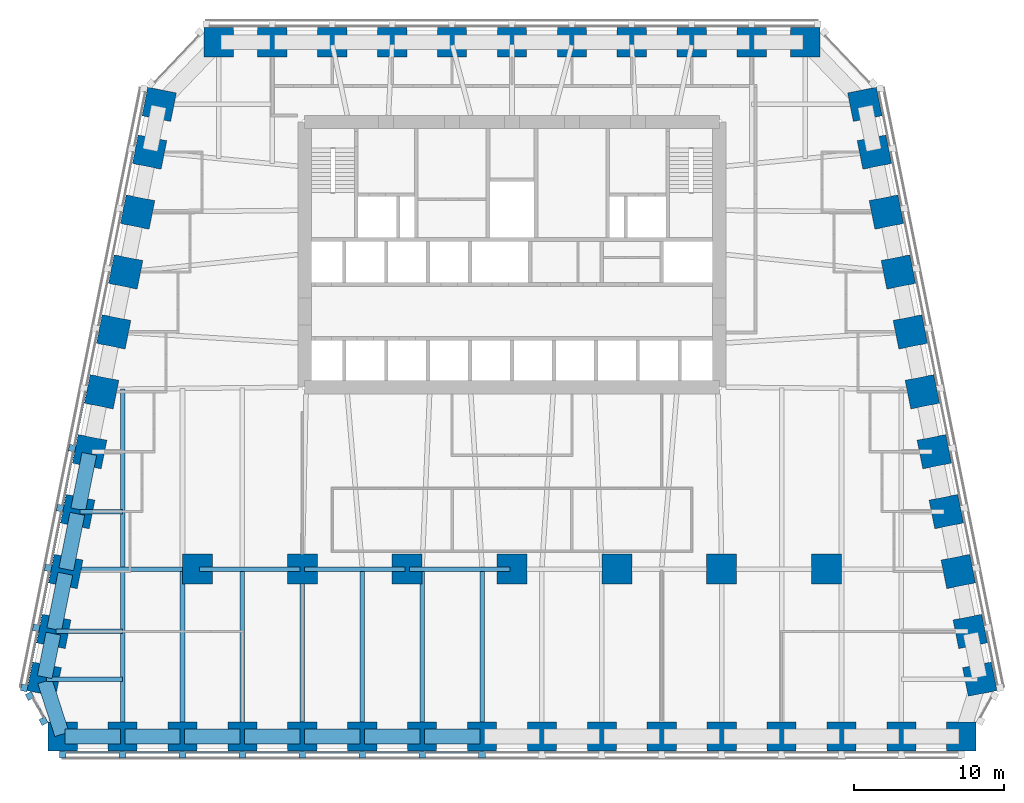
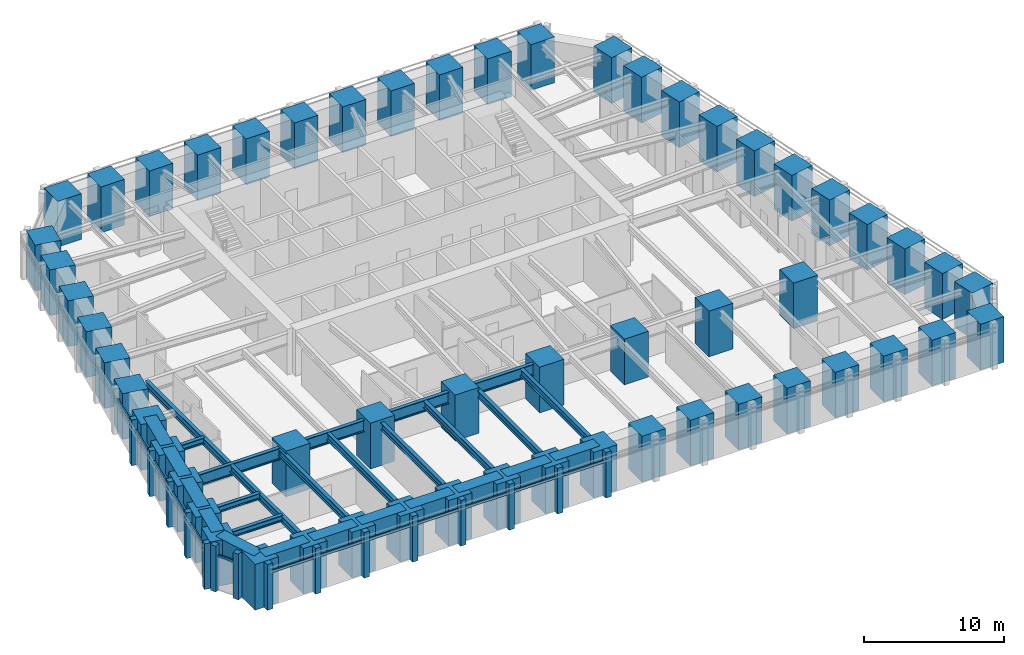
# One storey, part 1 of 10: 56 columns, 28 members, 27 beams, 3 elements without a shape of their own.
"""IFC4 building model written with IfcOpenShell, lengths in metres."""

from ifc_helpers import new_model, si_unit, direction, frame, origin, origin_2d, place, context, subcontext, project, spatial, rectangle, i_section, extrude, material, material_profile, profile_set, type_object, element, aggregate, save


model = new_model("IFC4")

# Units and contexts
model_context = context("Model", 3, precision=1e-05, world=origin(), true_north=direction((0.0, 1.0)))
body_context = subcontext(model_context, "Body", "Model", "MODEL_VIEW")
ifc_project = project(units=[si_unit("LENGTHUNIT", "METRE"), si_unit("AREAUNIT", "SQUARE_METRE"), si_unit("VOLUMEUNIT", "CUBIC_METRE"), si_unit("PLANEANGLEUNIT", "RADIAN"), si_unit("MASSUNIT", "GRAM", prefix="KILO")], contexts=[model_context])

# Site, building, storey
site_placement = place(None, origin())
site = spatial("IfcSite", under=ifc_project, at=site_placement, CompositionType="ELEMENT")
building_placement = place(site_placement, origin())
building = spatial("IfcBuilding", under=site, at=building_placement, Name="Isbrekke Arena Tower", CompositionType="ELEMENT")
storey_placement = place(building_placement, frame((0.0, 0.0, 88.0)))
storey = spatial("IfcBuildingStorey", under=building, at=storey_placement, Name="L19", CompositionType="ELEMENT", Elevation=88.0)

# Columns
ifc_material_1 = material(Name="Concrete B90 (C90/105)", Category="concrete")
ifc_material_profile_1 = material_profile(ifc_material_1, rectangle(XDim=2.0, YDim=2.0, at=origin_2d()), Name="RC 2000x2000")
ifc_profile_set_1 = profile_set([ifc_material_profile_1], Name="Concrete B90 (C90/105)")
column_type_1 = type_object("IfcColumnType", Name="C11 RC 2000 x 2000", PredefinedType="COLUMN", material=ifc_profile_set_1)
for number, where, z_axis, x_axis, name in (
    (1, (-21.0, -6.0, 0.0), (0.0, 0.0, 1.0), (1.0, 0.0, 0.0), "C11 I01"),
    (2, (-14.0, -6.0, 0.0), (0.0, 0.0, 1.0), (1.0, 0.0, 0.0), "C11 I02"),
    (3, (-7.0, -6.0, 0.0), (0.0, 0.0, 1.0), (1.0, 0.0, 0.0), "C11 I03"),
    (4, (0.0, -6.0, 0.0), (0.0, 0.0, 1.0), (1.0, 0.0, 0.0), "C11 I04"),
    (5, (7.0, -6.0, 0.0), (0.0, 0.0, 1.0), (1.0, 0.0, 0.0), "C11 I05"),
    (6, (14.0, -6.0, 0.0), (0.0, 0.0, 1.0), (1.0, 0.0, 0.0), "C11 I06"),
    (7, (21.0, -6.0, 0.0), (0.0, 0.0, 1.0), (1.0, 0.0, 0.0), "C11 I07"),
):
    element("IfcColumn", number, at=place(storey_placement, frame(where, z_axis=z_axis, x_axis=x_axis)), inside=storey, type_object=column_type_1, Name=name, PredefinedType="COLUMN", context=body_context, shape_type="SweptSolid", body=[
        extrude(rectangle(XDim=2.0, YDim=2.0, at=origin_2d()), origin(), (0.0, 0.0, 1.0), 4.0),
    ])
ifc_material_2 = material(Name="Concrete B90 (C90/105)", Category="concrete")
ifc_material_profile_2 = material_profile(ifc_material_2, rectangle(XDim=1.949951171875, YDim=1.949951171875, at=origin_2d()), Name="RC 1950x1950")
ifc_profile_set_2 = profile_set([ifc_material_profile_2], Name="Concrete B90 (C90/105)")
column_type_2 = type_object("IfcColumnType", Name="C2 RC 1950 x 1950", PredefinedType="COLUMN", material=ifc_profile_set_2)
for number, where, z_axis, x_axis, name in (
    (8, (-30.0, -17.175048828125, 0.0), (0.0, 0.0, 1.0), (1.0, 0.0, 0.0), "C2 S01"),
    (9, (-26.0, -17.175048828125, 0.0), (0.0, 0.0, 1.0), (1.0, 0.0, 0.0), "C2 S02"),
    (10, (-22.0, -17.175048828125, 0.0), (0.0, 0.0, 1.0), (1.0, 0.0, 0.0), "C2 S03"),
    (11, (-18.0, -17.175048828125, 0.0), (0.0, 0.0, 1.0), (1.0, 0.0, 0.0), "C2 S04"),
    (12, (-14.0, -17.175048828125, 0.0), (0.0, 0.0, 1.0), (1.0, 0.0, 0.0), "C2 S05"),
    (13, (-10.0, -17.175048828125, 0.0), (0.0, 0.0, 1.0), (1.0, 0.0, 0.0), "C2 S06"),
    (14, (-6.0, -17.175048828125, 0.0), (0.0, 0.0, 1.0), (1.0, 0.0, 0.0), "C2 S07"),
    (15, (-2.0, -17.175048828125, 0.0), (0.0, 0.0, 1.0), (1.0, 0.0, 0.0), "C2 S08"),
    (16, (2.0, -17.175048828125, 0.0), (0.0, 0.0, 1.0), (1.0, 0.0, 0.0), "C2 S09"),
    (17, (6.0, -17.175048828125, 0.0), (0.0, 0.0, 1.0), (1.0, 0.0, 0.0), "C2 S10"),
    (18, (10.0, -17.175048828125, 0.0), (0.0, 0.0, 1.0), (1.0, 0.0, 0.0), "C2 S11"),
    (19, (14.0, -17.175048828125, 0.0), (0.0, 0.0, 1.0), (1.0, 0.0, 0.0), "C2 S12"),
    (20, (18.0, -17.175048828125, 0.0), (0.0, 0.0, 1.0), (1.0, 0.0, 0.0), "C2 S13"),
    (21, (22.0, -17.175048828125, 0.0), (0.0, 0.0, 1.0), (1.0, 0.0, 0.0), "C2 S14"),
    (22, (26.0, -17.175048828125, 0.0), (0.0, 0.0, 1.0), (1.0, 0.0, 0.0), "C2 S15"),
    (23, (30.0, -17.175048828125, 0.0), (0.0, 0.0, 1.0), (1.0, 0.0, 0.0), "C2 S16"),
    (24, (31.229248046875, -13.352783203125, 0.0), (0.0, 0.0, 1.0), (-0.196116135138, 0.980580675691, 0.0), "C2 E01"),
    (25, (30.591064453125, -10.161865234375, 0.0), (0.0, 0.0, 1.0), (-0.196116135138, 0.980580675691, 0.0), "C2 E02"),
    (26, (29.791015625, -6.161865234375, 0.0), (0.0, 0.0, 1.0), (-0.196116135138, 0.980580675691, 0.0), "C2 E03"),
    (27, (28.990966796875, -2.161865234375, 0.0), (0.0, 0.0, 1.0), (-0.196116135138, 0.980580675691, 0.0), "C2 E04"),
    (28, (28.19091796875, 1.838134765625, 0.0), (0.0, 0.0, 1.0), (-0.196116135138, 0.980580675691, 0.0), "C2 E05"),
    (29, (27.39111328125, 5.838134765625, 0.0), (0.0, 0.0, 1.0), (-0.196116135138, 0.980580675691, 0.0), "C2 E06"),
    (30, (26.591064453125, 9.838134765625, 0.0), (0.0, 0.0, 1.0), (-0.196116135138, 0.980580675691, 0.0), "C2 E07"),
    (31, (25.791015625, 13.838134765625, 0.0), (0.0, 0.0, 1.0), (-0.196116135138, 0.980580675691, 0.0), "C2 E08"),
    (32, (24.990966796875, 17.838134765625, 0.0), (0.0, 0.0, 1.0), (-0.196116135138, 0.980580675691, 0.0), "C2 E09"),
    (33, (24.19091796875, 21.838134765625, 0.0), (0.0, 0.0, 1.0), (-0.196116135138, 0.980580675691, 0.0), "C2 E10"),
    (34, (23.552734375, 25.029296875, 0.0), (0.0, 0.0, 1.0), (-0.196116135138, 0.980580675691, 0.0), "C2 E11"),
    (35, (19.574951171875, 29.175048828125, 0.0), (0.0, 0.0, 1.0), (-1.0, 0.0, 0.0), "C2 N01"),
    (36, (16.0, 29.175048828125, 0.0), (0.0, 0.0, 1.0), (-1.0, 0.0, 0.0), "C2 N02"),
    (37, (12.0, 29.175048828125, 0.0), (0.0, 0.0, 1.0), (-1.0, 0.0, 0.0), "C2 N03"),
    (38, (8.0, 29.175048828125, 0.0), (0.0, 0.0, 1.0), (-1.0, 0.0, 0.0), "C2 N04"),
    (39, (4.0, 29.175048828125, 0.0), (0.0, 0.0, 1.0), (-1.0, 0.0, 0.0), "C2 N05"),
    (40, (0.0, 29.175048828125, 0.0), (0.0, 0.0, 1.0), (-1.0, 0.0, 0.0), "C2 N06"),
    (41, (-4.0, 29.175048828125, 0.0), (0.0, 0.0, 1.0), (-1.0, 0.0, 0.0), "C2 N07"),
    (42, (-8.0, 29.175048828125, 0.0), (0.0, 0.0, 1.0), (-1.0, 0.0, 0.0), "C2 N08"),
    (43, (-12.0, 29.175048828125, 0.0), (0.0, 0.0, 1.0), (-1.0, 0.0, 0.0), "C2 N09"),
    (44, (-16.0, 29.175048828125, 0.0), (0.0, 0.0, 1.0), (-1.0, 0.0, 0.0), "C2 N10"),
    (45, (-19.574951171875, 29.175048828125, 0.0), (0.0, 0.0, 1.0), (-1.0, 0.0, 0.0), "C2 N11"),
    (46, (-23.552734375, 25.029296875, 0.0), (0.0, 0.0, 1.0), (-0.196116135138, -0.980580675691, 0.0), "C2 W01"),
    (47, (-24.19091796875, 21.838134765625, 0.0), (0.0, 0.0, 1.0), (-0.196116135138, -0.980580675691, 0.0), "C2 W02"),
    (48, (-24.990966796875, 17.838134765625, 0.0), (0.0, 0.0, 1.0), (-0.196116135138, -0.980580675691, 0.0), "C2 W03"),
    (49, (-25.791015625, 13.838134765625, 0.0), (0.0, 0.0, 1.0), (-0.196116135138, -0.980580675691, 0.0), "C2 W04"),
    (50, (-26.591064453125, 9.838134765625, 0.0), (0.0, 0.0, 1.0), (-0.196116135138, -0.980580675691, 0.0), "C2 W05"),
    (51, (-27.39111328125, 5.838134765625, 0.0), (0.0, 0.0, 1.0), (-0.196116135138, -0.980580675691, 0.0), "C2 W06"),
    (52, (-28.19091796875, 1.838134765625, 0.0), (0.0, 0.0, 1.0), (-0.196116135138, -0.980580675691, 0.0), "C2 W07"),
    (53, (-28.990966796875, -2.161865234375, 0.0), (0.0, 0.0, 1.0), (-0.196116135138, -0.980580675691, 0.0), "C2 W08"),
    (54, (-29.791015625, -6.161865234375, 0.0), (0.0, 0.0, 1.0), (-0.196116135138, -0.980580675691, 0.0), "C2 W09"),
    (55, (-30.591064453125, -10.161865234375, 0.0), (0.0, 0.0, 1.0), (-0.196116135138, -0.980580675691, 0.0), "C2 W10"),
    (56, (-31.229248046875, -13.352783203125, 0.0), (0.0, 0.0, 1.0), (-0.196116135138, -0.980580675691, 0.0), "C2 W11"),
):
    element("IfcColumn", number, at=place(storey_placement, frame(where, z_axis=z_axis, x_axis=x_axis)), inside=storey, type_object=column_type_2, Name=name, PredefinedType="COLUMN", context=body_context, shape_type="SweptSolid", body=[
        extrude(rectangle(XDim=1.949951171875, YDim=1.949951171875, at=origin_2d()), origin(), (0.0, 0.0, 1.0), 4.0),
    ])

# Beams
ifc_material_3 = material(Name="Steel S355", Category="steel")
ifc_material_profile_3 = material_profile(ifc_material_3, i_section(OverallWidth=0.304931640625, OverallDepth=0.6201171875, WebThickness=0.02099609375, FlangeThickness=0.0400390625, FilletRadius=0.027099609375, at=origin_2d()), Name="HEM 600")
ifc_profile_set_3 = profile_set([ifc_material_profile_3], Name="Steel S355")
beam_type_1 = type_object("IfcBeamType", Name="B4 HEM 600", PredefinedType="BEAM", material=ifc_profile_set_3)
for number, where, z_axis, x_axis, name in (
    (57, (-26.0, -17.02490234375, 3.43994140625), (0.0, 1.0, 0.0), (-1.0, 0.0, 0.0), "B4 beam S-S02 L19"),
    (58, (-22.0, -17.02490234375, 3.43994140625), (0.0, 1.0, 0.0), (-1.0, 0.0, 0.0), "B4 beam S-S03 L19"),
    (59, (-18.0, -17.02490234375, 3.43994140625), (0.0, 1.0, 0.0), (-1.0, 0.0, 0.0), "B4 beam S-S04 L19"),
):
    element("IfcBeam", number, at=place(storey_placement, frame(where, z_axis=z_axis, x_axis=x_axis)), inside=storey, type_object=beam_type_1, Name=name, PredefinedType="BEAM", context=body_context, shape_type="SweptSolid", body=[
        extrude(i_section(OverallWidth=0.304931640625, OverallDepth=0.6201171875, WebThickness=0.02099609375, FlangeThickness=0.0400390625, FilletRadius=0.027099609375, at=origin_2d()), origin(), (0.0, 0.0, 1.0), 10.8740234375),
    ])
beam_1_placement = place(storey_placement, frame((-14.0, -17.02490234375, 3.43994140625), z_axis=(0.0, 1.0, 0.0), x_axis=(-1.0, 0.0, 0.0)))
element("IfcBeam", 60, at=beam_1_placement, inside=storey, type_object=beam_type_1, Name="B4 beam S-S05 L19", PredefinedType="BEAM", context=body_context, shape_type="SweptSolid", body=[
    extrude(i_section(OverallWidth=0.304931640625, OverallDepth=0.6201171875, WebThickness=0.02099609375, FlangeThickness=0.0400390625, FilletRadius=0.027099609375, at=origin_2d()), origin(), (0.0, 0.0, 1.0), 10.875),
])
for number, where, z_axis, x_axis, name in (
    (61, (-10.0, -17.02490234375, 3.43994140625), (0.0, 1.0, 0.0), (-1.0, 0.0, 0.0), "B4 beam S-S06 L19"),
    (62, (-6.0, -17.02490234375, 3.43994140625), (0.0, 1.0, 0.0), (-1.0, 0.0, 0.0), "B4 beam S-S07 L19"),
    (63, (-2.0, -17.02490234375, 3.43994140625), (0.0, 1.0, 0.0), (-1.0, 0.0, 0.0), "B4 beam S-S08 L19"),
):
    element("IfcBeam", number, at=place(storey_placement, frame(where, z_axis=z_axis, x_axis=x_axis)), inside=storey, type_object=beam_type_1, Name=name, PredefinedType="BEAM", context=body_context, shape_type="SweptSolid", body=[
        extrude(i_section(OverallWidth=0.304931640625, OverallDepth=0.6201171875, WebThickness=0.02099609375, FlangeThickness=0.0400390625, FilletRadius=0.027099609375, at=origin_2d()), origin(), (0.0, 0.0, 1.0), 10.8740234375),
    ])
beam_2_placement = place(storey_placement, frame((-26.0, -5.84912109375, 3.43994140625), z_axis=(0.0, 1.0, 0.0), x_axis=(-1.0, 0.0, 0.0)))
element("IfcBeam", 64, at=beam_2_placement, inside=storey, type_object=beam_type_1, Name="B4 beam C-M01 L19", PredefinedType="BEAM", context=body_context, shape_type="SweptSolid", body=[
    extrude(i_section(OverallWidth=0.304931640625, OverallDepth=0.6201171875, WebThickness=0.02099609375, FlangeThickness=0.0400390625, FilletRadius=0.027099609375, at=origin_2d()), origin(), (0.0, 0.0, 1.0), 11.864990234375),
])
ifc_material_4 = material(Name="Steel S355", Category="steel")
ifc_material_profile_4 = material_profile(ifc_material_4, i_section(OverallWidth=0.305908203125, OverallDepth=0.52392578125, WebThickness=0.02099609375, FlangeThickness=0.0400390625, FilletRadius=0.027099609375, at=origin_2d()), Name="HEM 500")
ifc_profile_set_4 = profile_set([ifc_material_profile_4], Name="Steel S355")
beam_type_2 = type_object("IfcBeamType", Name="B5 HEM 500", PredefinedType="BEAM", material=ifc_profile_set_4)
beam_3_placement = place(storey_placement, frame((-28.841064453125, -2.161865234375, 3.488037109375), z_axis=(1.0, 0.0, 0.0), x_axis=(0.0, 1.0, 0.0)))
element("IfcBeam", 65, at=beam_3_placement, inside=storey, type_object=beam_type_2, Name="B5 beam E-W08 L19", PredefinedType="BEAM", context=body_context, shape_type="SweptSolid", body=[
    extrude(i_section(OverallWidth=0.305908203125, OverallDepth=0.52392578125, WebThickness=0.02099609375, FlangeThickness=0.0400390625, FilletRadius=0.027099609375, at=origin_2d()), origin(), (0.0, 0.0, 1.0), 2.841064453125),
])
beam_4_placement = place(storey_placement, frame((-30.44091796875, -10.161865234375, 3.488037109375), z_axis=(1.0, 0.0, 0.0), x_axis=(0.0, 1.0, 0.0)))
element("IfcBeam", 66, at=beam_4_placement, inside=storey, type_object=beam_type_2, Name="B5 beam E-W10 L19", PredefinedType="BEAM", context=body_context, shape_type="SweptSolid", body=[
    extrude(i_section(OverallWidth=0.305908203125, OverallDepth=0.52392578125, WebThickness=0.02099609375, FlangeThickness=0.0400390625, FilletRadius=0.027099609375, at=origin_2d()), origin(), (0.0, 0.0, 1.0), 4.44091796875),
])
beam_5_placement = place(storey_placement, frame((-31.079345703125, -13.352783203125, 3.488037109375), z_axis=(1.0, 0.0, 0.0), x_axis=(0.0, 1.0, 0.0)))
element("IfcBeam", 67, at=beam_5_placement, inside=storey, type_object=beam_type_2, Name="B5 beam E-W11 L19", PredefinedType="BEAM", context=body_context, shape_type="SweptSolid", body=[
    extrude(i_section(OverallWidth=0.305908203125, OverallDepth=0.52392578125, WebThickness=0.02099609375, FlangeThickness=0.0400390625, FilletRadius=0.027099609375, at=origin_2d()), origin(), (0.0, 0.0, 1.0), 5.079345703125),
])

# Curtain wall, members
ifc_material_5 = material(Name="Glazed aluminium curtain wall", Category="aluminium")
curtain_wall_type = type_object("IfcCurtainWallType", Name="CWL TOWER CURTAIN WALL LOW ZONE", PredefinedType="USERDEFINED", material=ifc_material_5)
curtain_wall_1_placement = place(storey_placement, origin())
curtain_wall_1 = element("IfcCurtainWall", 68, at=curtain_wall_1_placement, inside=storey, type_object=curtain_wall_type, Name="CWL curtain wall L19-S", ObjectType="TOWER CURTAIN WALL LOW ZONE", PredefinedType="USERDEFINED")
ifc_material_6 = material(Name="Aluminium mullion, pale brick slip cladding", Category="masonry")
ifc_material_profile_5 = material_profile(ifc_material_6, rectangle(XDim=0.449951171875, YDim=0.449951171875, at=origin_2d()), Name="PIER 450X450")
ifc_profile_set_5 = profile_set([ifc_material_profile_5], Name="Aluminium mullion, pale brick slip cladding")
member_type_1 = type_object("IfcMemberType", Name="CWL-M PIER MULLION 450 x 450", PredefinedType="MULLION", material=ifc_profile_set_5)
member_1_placement = place(storey_placement, frame((-30.0, -18.375, 0.0), z_axis=(0.0, 0.0, 1.0), x_axis=(1.0, 0.0, 0.0)))
member_1 = element("IfcMember", 69, at=member_1_placement, type_object=member_type_1, Name="CWL-M mullion 1", PredefinedType="MULLION", context=body_context, shape_type="SweptSolid", body=[
    extrude(rectangle(XDim=0.449951171875, YDim=0.449951171875, at=origin_2d()), origin(), (0.0, 0.0, 1.0), 4.0),
])
member_2_placement = place(storey_placement, frame((-26.0, -18.375, 0.0), z_axis=(0.0, 0.0, 1.0), x_axis=(1.0, 0.0, 0.0)))
member_2 = element("IfcMember", 70, at=member_2_placement, type_object=member_type_1, Name="CWL-M mullion 2", PredefinedType="MULLION", context=body_context, shape_type="SweptSolid", body=[
    extrude(rectangle(XDim=0.449951171875, YDim=0.449951171875, at=origin_2d()), origin(), (0.0, 0.0, 1.0), 4.0),
])
member_3_placement = place(storey_placement, frame((-22.0, -18.375, 0.0), z_axis=(0.0, 0.0, 1.0), x_axis=(1.0, 0.0, 0.0)))
member_3 = element("IfcMember", 71, at=member_3_placement, type_object=member_type_1, Name="CWL-M mullion 3", PredefinedType="MULLION", context=body_context, shape_type="SweptSolid", body=[
    extrude(rectangle(XDim=0.449951171875, YDim=0.449951171875, at=origin_2d()), origin(), (0.0, 0.0, 1.0), 4.0),
])
member_4_placement = place(storey_placement, frame((-18.0, -18.375, 0.0), z_axis=(0.0, 0.0, 1.0), x_axis=(1.0, 0.0, 0.0)))
member_4 = element("IfcMember", 72, at=member_4_placement, type_object=member_type_1, Name="CWL-M mullion 4", PredefinedType="MULLION", context=body_context, shape_type="SweptSolid", body=[
    extrude(rectangle(XDim=0.449951171875, YDim=0.449951171875, at=origin_2d()), origin(), (0.0, 0.0, 1.0), 4.0),
])
member_5_placement = place(storey_placement, frame((-14.0, -18.375, 0.0), z_axis=(0.0, 0.0, 1.0), x_axis=(1.0, 0.0, 0.0)))
member_5 = element("IfcMember", 73, at=member_5_placement, type_object=member_type_1, Name="CWL-M mullion 5", PredefinedType="MULLION", context=body_context, shape_type="SweptSolid", body=[
    extrude(rectangle(XDim=0.449951171875, YDim=0.449951171875, at=origin_2d()), origin(), (0.0, 0.0, 1.0), 4.0),
])
member_6_placement = place(storey_placement, frame((-10.0, -18.375, 0.0), z_axis=(0.0, 0.0, 1.0), x_axis=(1.0, 0.0, 0.0)))
member_6 = element("IfcMember", 74, at=member_6_placement, type_object=member_type_1, Name="CWL-M mullion 6", PredefinedType="MULLION", context=body_context, shape_type="SweptSolid", body=[
    extrude(rectangle(XDim=0.449951171875, YDim=0.449951171875, at=origin_2d()), origin(), (0.0, 0.0, 1.0), 4.0),
])
member_7_placement = place(storey_placement, frame((-6.0, -18.375, 0.0), z_axis=(0.0, 0.0, 1.0), x_axis=(1.0, 0.0, 0.0)))
member_7 = element("IfcMember", 75, at=member_7_placement, type_object=member_type_1, Name="CWL-M mullion 7", PredefinedType="MULLION", context=body_context, shape_type="SweptSolid", body=[
    extrude(rectangle(XDim=0.449951171875, YDim=0.449951171875, at=origin_2d()), origin(), (0.0, 0.0, 1.0), 4.0),
])
member_8_placement = place(storey_placement, frame((-2.0, -18.375, 0.0), z_axis=(0.0, 0.0, 1.0), x_axis=(1.0, 0.0, 0.0)))
member_8 = element("IfcMember", 76, at=member_8_placement, type_object=member_type_1, Name="CWL-M mullion 8", PredefinedType="MULLION", context=body_context, shape_type="SweptSolid", body=[
    extrude(rectangle(XDim=0.449951171875, YDim=0.449951171875, at=origin_2d()), origin(), (0.0, 0.0, 1.0), 4.0),
])

curtain_wall_2_placement = place(storey_placement, origin())
curtain_wall_2 = element("IfcCurtainWall", 77, at=curtain_wall_2_placement, inside=storey, type_object=curtain_wall_type, Name="CWL curtain wall L19-W", ObjectType="TOWER CURTAIN WALL LOW ZONE", PredefinedType="USERDEFINED")
member_9_placement = place(storey_placement, frame((-29.36767578125, 2.073486328125, 0.0), z_axis=(0.0, 0.0, 1.0), x_axis=(-0.196116135138, -0.980580675691, 0.0)))
member_9 = element("IfcMember", 78, at=member_9_placement, type_object=member_type_1, Name="CWL-M mullion 7", PredefinedType="MULLION", context=body_context, shape_type="SweptSolid", body=[
    extrude(rectangle(XDim=0.449951171875, YDim=0.449951171875, at=origin_2d()), origin(), (0.0, 0.0, 1.0), 4.0),
])
member_10_placement = place(storey_placement, frame((-30.167724609375, -1.926513671875, 0.0), z_axis=(0.0, 0.0, 1.0), x_axis=(-0.196116135138, -0.980580675691, 0.0)))
member_10 = element("IfcMember", 79, at=member_10_placement, type_object=member_type_1, Name="CWL-M mullion 8", PredefinedType="MULLION", context=body_context, shape_type="SweptSolid", body=[
    extrude(rectangle(XDim=0.449951171875, YDim=0.449951171875, at=origin_2d()), origin(), (0.0, 0.0, 1.0), 4.0),
])
member_11_placement = place(storey_placement, frame((-30.9677734375, -5.926513671875, 0.0), z_axis=(0.0, 0.0, 1.0), x_axis=(-0.196116135138, -0.980580675691, 0.0)))
member_11 = element("IfcMember", 80, at=member_11_placement, type_object=member_type_1, Name="CWL-M mullion 9", PredefinedType="MULLION", context=body_context, shape_type="SweptSolid", body=[
    extrude(rectangle(XDim=0.449951171875, YDim=0.449951171875, at=origin_2d()), origin(), (0.0, 0.0, 1.0), 4.0),
])
member_12_placement = place(storey_placement, frame((-31.767822265625, -9.926513671875, 0.0), z_axis=(0.0, 0.0, 1.0), x_axis=(-0.196116135138, -0.980580675691, 0.0)))
member_12 = element("IfcMember", 81, at=member_12_placement, type_object=member_type_1, Name="CWL-M mullion 10", PredefinedType="MULLION", context=body_context, shape_type="SweptSolid", body=[
    extrude(rectangle(XDim=0.449951171875, YDim=0.449951171875, at=origin_2d()), origin(), (0.0, 0.0, 1.0), 4.0),
])
member_13_placement = place(storey_placement, frame((-32.567626953125, -13.926513671875, 0.0), z_axis=(0.0, 0.0, 1.0), x_axis=(-0.196116135138, -0.980580675691, 0.0)))
member_13 = element("IfcMember", 82, at=member_13_placement, type_object=member_type_1, Name="CWL-M mullion 11", PredefinedType="MULLION", context=body_context, shape_type="SweptSolid", body=[
    extrude(rectangle(XDim=0.449951171875, YDim=0.449951171875, at=origin_2d()), origin(), (0.0, 0.0, 1.0), 4.0),
])

curtain_wall_3_placement = place(storey_placement, origin())
curtain_wall_3 = element("IfcCurtainWall", 83, at=curtain_wall_3_placement, inside=storey, type_object=curtain_wall_type, Name="CWL curtain wall L19-WS", ObjectType="TOWER CURTAIN WALL LOW ZONE", PredefinedType="USERDEFINED")
member_14_placement = place(storey_placement, frame((-32.19580078125, -14.474609375, 0.0), z_axis=(0.0, 0.0, 1.0), x_axis=(0.481918749773, -0.876215908676, 0.0)))
member_14 = element("IfcMember", 84, at=member_14_placement, type_object=member_type_1, Name="CWL-M mullion 1", PredefinedType="MULLION", context=body_context, shape_type="SweptSolid", body=[
    extrude(rectangle(XDim=0.449951171875, YDim=0.449951171875, at=origin_2d()), origin(), (0.0, 0.0, 1.0), 4.0),
])
member_15_placement = place(storey_placement, frame((-31.277587890625, -16.14404296875, 0.0), z_axis=(0.0, 0.0, 1.0), x_axis=(0.481918749773, -0.876215908676, 0.0)))
member_15 = element("IfcMember", 85, at=member_15_placement, type_object=member_type_1, Name="CWL-M mullion 2", PredefinedType="MULLION", context=body_context, shape_type="SweptSolid", body=[
    extrude(rectangle(XDim=0.449951171875, YDim=0.449951171875, at=origin_2d()), origin(), (0.0, 0.0, 1.0), 4.0),
])

# Member
ifc_material_7 = material(Name="Aluminium transom", Category="aluminium")
ifc_material_profile_6 = material_profile(ifc_material_7, rectangle(XDim=0.1201171875, YDim=0.199951171875, at=origin_2d()), Name="TRANSOM 120X200")
ifc_profile_set_6 = profile_set([ifc_material_profile_6], Name="Aluminium transom")
member_type_2 = type_object("IfcMemberType", Name="CWL-T TRANSOM 120 x 200", PredefinedType="USERDEFINED", material=ifc_profile_set_6)
member_16_placement = place(storey_placement, frame((-29.77490234375, -18.25, 3.0), z_axis=(1.0, 0.0, 0.0), x_axis=(0.0, 1.0, 0.0)))
member_16 = element("IfcMember", 86, at=member_16_placement, type_object=member_type_2, Name="CWL-T transom 1", ObjectType="TRANSOM", PredefinedType="USERDEFINED", context=body_context, shape_type="SweptSolid", body=[
    extrude(rectangle(XDim=0.1201171875, YDim=0.199951171875, at=origin_2d()), origin(), (0.0, 0.0, 1.0), 3.5498046875),
])

member_17_placement = place(storey_placement, frame((-25.77490234375, -18.25, 3.0), z_axis=(1.0, 0.0, 0.0), x_axis=(0.0, 1.0, 0.0)))
member_17 = element("IfcMember", 87, at=member_17_placement, type_object=member_type_2, Name="CWL-T transom 2", ObjectType="TRANSOM", PredefinedType="USERDEFINED", context=body_context, shape_type="SweptSolid", body=[
    extrude(rectangle(XDim=0.1201171875, YDim=0.199951171875, at=origin_2d()), origin(), (0.0, 0.0, 1.0), 3.5498046875),
])

member_18_placement = place(storey_placement, frame((-21.77490234375, -18.25, 3.0), z_axis=(1.0, 0.0, 0.0), x_axis=(0.0, 1.0, 0.0)))
member_18 = element("IfcMember", 88, at=member_18_placement, type_object=member_type_2, Name="CWL-T transom 3", ObjectType="TRANSOM", PredefinedType="USERDEFINED", context=body_context, shape_type="SweptSolid", body=[
    extrude(rectangle(XDim=0.1201171875, YDim=0.199951171875, at=origin_2d()), origin(), (0.0, 0.0, 1.0), 3.5498046875),
])

member_19_placement = place(storey_placement, frame((-17.77490234375, -18.25, 3.0), z_axis=(1.0, 0.0, 0.0), x_axis=(0.0, 1.0, 0.0)))
member_19 = element("IfcMember", 89, at=member_19_placement, type_object=member_type_2, Name="CWL-T transom 4", ObjectType="TRANSOM", PredefinedType="USERDEFINED", context=body_context, shape_type="SweptSolid", body=[
    extrude(rectangle(XDim=0.1201171875, YDim=0.199951171875, at=origin_2d()), origin(), (0.0, 0.0, 1.0), 3.5498046875),
])

member_20_placement = place(storey_placement, frame((-13.77490234375, -18.25, 3.0), z_axis=(1.0, 0.0, 0.0), x_axis=(0.0, 1.0, 0.0)))
member_20 = element("IfcMember", 90, at=member_20_placement, type_object=member_type_2, Name="CWL-T transom 5", ObjectType="TRANSOM", PredefinedType="USERDEFINED", context=body_context, shape_type="SweptSolid", body=[
    extrude(rectangle(XDim=0.1201171875, YDim=0.199951171875, at=origin_2d()), origin(), (0.0, 0.0, 1.0), 3.5498046875),
])

member_21_placement = place(storey_placement, frame((-9.77490234375, -18.25, 3.0), z_axis=(1.0, 0.0, 0.0), x_axis=(0.0, 1.0, 0.0)))
member_21 = element("IfcMember", 91, at=member_21_placement, type_object=member_type_2, Name="CWL-T transom 6", ObjectType="TRANSOM", PredefinedType="USERDEFINED", context=body_context, shape_type="SweptSolid", body=[
    extrude(rectangle(XDim=0.1201171875, YDim=0.199951171875, at=origin_2d()), origin(), (0.0, 0.0, 1.0), 3.5498046875),
])

member_22_placement = place(storey_placement, frame((-5.77490234375, -18.25, 3.0), z_axis=(1.0, 0.0, 0.0), x_axis=(0.0, 1.0, 0.0)))
member_22 = element("IfcMember", 92, at=member_22_placement, type_object=member_type_2, Name="CWL-T transom 7", ObjectType="TRANSOM", PredefinedType="USERDEFINED", context=body_context, shape_type="SweptSolid", body=[
    extrude(rectangle(XDim=0.1201171875, YDim=0.199951171875, at=origin_2d()), origin(), (0.0, 0.0, 1.0), 3.5498046875),
])

aggregate(curtain_wall_1, [member_1, member_2, member_3, member_4, member_5, member_6, member_7, member_8, member_16, member_17, member_18, member_19, member_20, member_21, member_22])

member_23_placement = place(storey_placement, frame((-28.4892578125, 5.828369140625, 3.0), z_axis=(-0.196103197847, -0.98058326306, 0.0), x_axis=(0.98058326306, -0.196103197847, 0.0)))
member_23 = element("IfcMember", 93, at=member_23_placement, type_object=member_type_2, Name="CWL-T transom 6", ObjectType="TRANSOM", PredefinedType="USERDEFINED", context=body_context, shape_type="SweptSolid", body=[
    extrude(rectangle(XDim=0.1201171875, YDim=0.199951171875, at=origin_2d()), origin(), (0.0, 0.0, 1.0), 3.629150390625),
])

member_24_placement = place(storey_placement, frame((-29.289306640625, 1.828369140625, 3.0), z_axis=(-0.196103197847, -0.98058326306, 0.0), x_axis=(0.98058326306, -0.196103197847, 0.0)))
member_24 = element("IfcMember", 94, at=member_24_placement, type_object=member_type_2, Name="CWL-T transom 7", ObjectType="TRANSOM", PredefinedType="USERDEFINED", context=body_context, shape_type="SweptSolid", body=[
    extrude(rectangle(XDim=0.1201171875, YDim=0.199951171875, at=origin_2d()), origin(), (0.0, 0.0, 1.0), 3.629150390625),
])

member_25_placement = place(storey_placement, frame((-30.08935546875, -2.171630859375, 3.0), z_axis=(-0.196103197847, -0.98058326306, 0.0), x_axis=(0.98058326306, -0.196103197847, 0.0)))
member_25 = element("IfcMember", 95, at=member_25_placement, type_object=member_type_2, Name="CWL-T transom 8", ObjectType="TRANSOM", PredefinedType="USERDEFINED", context=body_context, shape_type="SweptSolid", body=[
    extrude(rectangle(XDim=0.1201171875, YDim=0.199951171875, at=origin_2d()), origin(), (0.0, 0.0, 1.0), 3.629150390625),
])

member_26_placement = place(storey_placement, frame((-30.88916015625, -6.171630859375, 3.0), z_axis=(-0.196167883278, -0.980570324643, 0.0), x_axis=(0.980570324643, -0.196167883278, 0.0)))
member_26 = element("IfcMember", 96, at=member_26_placement, type_object=member_type_2, Name="CWL-T transom 9", ObjectType="TRANSOM", PredefinedType="USERDEFINED", context=body_context, shape_type="SweptSolid", body=[
    extrude(rectangle(XDim=0.1201171875, YDim=0.199951171875, at=origin_2d()), origin(), (0.0, 0.0, 1.0), 3.629150390625),
])

member_27_placement = place(storey_placement, frame((-31.689208984375, -10.171630859375, 3.0), z_axis=(-0.196167883278, -0.980570324643, 0.0), x_axis=(0.980570324643, -0.196167883278, 0.0)))
member_27 = element("IfcMember", 97, at=member_27_placement, type_object=member_type_2, Name="CWL-T transom 10", ObjectType="TRANSOM", PredefinedType="USERDEFINED", context=body_context, shape_type="SweptSolid", body=[
    extrude(rectangle(XDim=0.1201171875, YDim=0.199951171875, at=origin_2d()), origin(), (0.0, 0.0, 1.0), 3.629150390625),
])

aggregate(curtain_wall_2, [member_9, member_10, member_11, member_12, member_13, member_23, member_24, member_25, member_26, member_27])

member_28_placement = place(storey_placement, frame((-31.977783203125, -14.611572265625, 3.0), z_axis=(0.481905867223, -0.876222993955, 0.0), x_axis=(0.876222993955, 0.481905867223, 0.0)))
member_28 = element("IfcMember", 98, at=member_28_placement, type_object=member_type_2, Name="CWL-T transom 1", ObjectType="TRANSOM", PredefinedType="USERDEFINED", context=body_context, shape_type="SweptSolid", body=[
    extrude(rectangle(XDim=0.1201171875, YDim=0.199951171875, at=origin_2d()), origin(), (0.0, 0.0, 1.0), 1.455078125),
])

aggregate(curtain_wall_3, [member_14, member_15, member_28])

# Beams
ifc_material_8 = material(Name="Steel S355", Category="steel")
ifc_material_profile_7 = material_profile(ifc_material_8, i_section(OverallWidth=0.302001953125, OverallDepth=1.008056640625, WebThickness=0.02099609375, FlangeThickness=0.0400390625, FilletRadius=0.030029296875, at=origin_2d()), Name="HEM 1000")
ifc_profile_set_7 = profile_set([ifc_material_profile_7], Name="Steel S355")
beam_type_3 = type_object("IfcBeamType", Name="G1 HEM 1000", PredefinedType="BEAM", material=ifc_profile_set_7)
beam_6_placement = place(storey_placement, frame((-29.791015625, -6.0, 3.24609375), z_axis=(1.0, 0.0, 0.0), x_axis=(0.0, 1.0, 0.0)))
element("IfcBeam", 99, at=beam_6_placement, inside=storey, type_object=beam_type_3, Name="G1 beam G1-01 L19", PredefinedType="BEAM", context=body_context, shape_type="SweptSolid", body=[
    extrude(i_section(OverallWidth=0.302001953125, OverallDepth=1.008056640625, WebThickness=0.02099609375, FlangeThickness=0.0400390625, FilletRadius=0.030029296875, at=origin_2d()), origin(), (0.0, 0.0, 1.0), 8.64111328125),
])
for number, where, z_axis, x_axis, name in (
    (100, (-20.85009765625, -6.0, 3.24609375), (1.0, 0.0, 0.0), (0.0, 1.0, 0.0), "G1 beam G1-02 L19"),
    (101, (-13.85009765625, -6.0, 3.24609375), (1.0, 0.0, 0.0), (0.0, 1.0, 0.0), "G1 beam G1-03 L19"),
    (102, (-6.85009765625, -6.0, 3.24609375), (1.0, 0.0, 0.0), (0.0, 1.0, 0.0), "G1 beam G1-04 L19"),
):
    element("IfcBeam", number, at=place(storey_placement, frame(where, z_axis=z_axis, x_axis=x_axis)), inside=storey, type_object=beam_type_3, Name=name, PredefinedType="BEAM", context=body_context, shape_type="SweptSolid", body=[
        extrude(i_section(OverallWidth=0.302001953125, OverallDepth=1.008056640625, WebThickness=0.02099609375, FlangeThickness=0.0400390625, FilletRadius=0.030029296875, at=origin_2d()), origin(), (0.0, 0.0, 1.0), 6.7001953125),
    ])
ifc_material_9 = material(Name="Concrete B90 (C90/105)", Category="concrete")
ifc_material_profile_8 = material_profile(ifc_material_9, rectangle(XDim=1.0, YDim=1.60009765625, at=origin_2d()), Name="RC 1000x1600")
ifc_profile_set_8 = profile_set([ifc_material_profile_8], Name="Concrete B90 (C90/105)")
beam_type_4 = type_object("IfcBeamType", Name="SB1 RC 1000 x 1600", PredefinedType="SPANDREL", material=ifc_profile_set_8)
for number, where, z_axis, x_axis, name in (
    (103, (-29.85009765625, -17.175048828125, 3.199951171875), (1.0, 0.0, 0.0), (0.0, 1.0, 0.0), "SB1 spandrel S01-S02 L19"),
    (104, (-25.85009765625, -17.175048828125, 3.199951171875), (1.0, 0.0, 0.0), (0.0, 1.0, 0.0), "SB1 spandrel S02-S03 L19"),
    (105, (-21.85009765625, -17.175048828125, 3.199951171875), (1.0, 0.0, 0.0), (0.0, 1.0, 0.0), "SB1 spandrel S03-S04 L19"),
    (106, (-17.85009765625, -17.175048828125, 3.199951171875), (1.0, 0.0, 0.0), (0.0, 1.0, 0.0), "SB1 spandrel S04-S05 L19"),
    (107, (-13.85009765625, -17.175048828125, 3.199951171875), (1.0, 0.0, 0.0), (0.0, 1.0, 0.0), "SB1 spandrel S05-S06 L19"),
    (108, (-9.85009765625, -17.175048828125, 3.199951171875), (1.0, 0.0, 0.0), (0.0, 1.0, 0.0), "SB1 spandrel S06-S07 L19"),
    (109, (-5.85009765625, -17.175048828125, 3.199951171875), (1.0, 0.0, 0.0), (0.0, 1.0, 0.0), "SB1 spandrel S07-S08 L19"),
):
    element("IfcBeam", number, at=place(storey_placement, frame(where, z_axis=z_axis, x_axis=x_axis)), inside=storey, type_object=beam_type_4, Name=name, PredefinedType="SPANDREL", context=body_context, shape_type="SweptSolid", body=[
        extrude(rectangle(XDim=1.0, YDim=1.60009765625, at=origin_2d()), origin(), (0.0, 0.0, 1.0), 3.7001953125),
    ])
for number, where, z_axis, x_axis, name in (
    (110, (-28.220458984375, 1.691162109375, 3.199951171875), (-0.196128558387, -0.980578190959, 0.0), (0.980578190959, -0.196128558387, 0.0), "SB1 spandrel W07-W08 L19"),
    (111, (-29.0205078125, -2.308837890625, 3.199951171875), (-0.196128558387, -0.980578190959, 0.0), (0.980578190959, -0.196128558387, 0.0), "SB1 spandrel W08-W09 L19"),
):
    element("IfcBeam", number, at=place(storey_placement, frame(where, z_axis=z_axis, x_axis=x_axis)), inside=storey, type_object=beam_type_4, Name=name, PredefinedType="SPANDREL", context=body_context, shape_type="SweptSolid", body=[
        extrude(rectangle(XDim=1.0, YDim=1.60009765625, at=origin_2d()), origin(), (0.0, 0.0, 1.0), 3.779296875),
    ])
beam_7_placement = place(storey_placement, frame((-29.820556640625, -6.308837890625, 3.199951171875), z_axis=(-0.1960664412, -0.980590613169, 0.0), x_axis=(0.980590613169, -0.1960664412, 0.0)))
element("IfcBeam", 112, at=beam_7_placement, inside=storey, type_object=beam_type_4, Name="SB1 spandrel W09-W10 L19", PredefinedType="SPANDREL", context=body_context, shape_type="SweptSolid", body=[
    extrude(rectangle(XDim=1.0, YDim=1.60009765625, at=origin_2d()), origin(), (0.0, 0.0, 1.0), 3.779052734375),
])
beam_8_placement = place(storey_placement, frame((-30.620361328125, -10.308837890625, 3.199951171875), z_axis=(-0.196100243168, -0.980583853951, 0.0), x_axis=(0.980583853951, -0.196100243168, 0.0)))
element("IfcBeam", 113, at=beam_8_placement, inside=storey, type_object=beam_type_4, Name="SB1 spandrel W10-W11 L19", PredefinedType="SPANDREL", context=body_context, shape_type="SweptSolid", body=[
    extrude(rectangle(XDim=1.0, YDim=1.60009765625, at=origin_2d()), origin(), (0.0, 0.0, 1.0), 2.954345703125),
])
beam_9_placement = place(storey_placement, frame((-31.183349609375, -13.49560546875, 3.199951171875), z_axis=(0.306175101476, -0.951975213562, 0.0), x_axis=(0.951975213562, 0.306175101476, 0.0)))
element("IfcBeam", 114, at=beam_9_placement, inside=storey, type_object=beam_type_4, Name="SB1 spandrel W11-S01 L19", PredefinedType="SPANDREL", context=body_context, shape_type="SweptSolid", body=[
    extrude(rectangle(XDim=1.0, YDim=1.60009765625, at=origin_2d()), origin(), (0.0, 0.0, 1.0), 3.715087890625),
])

save(model, "model.ifc")
